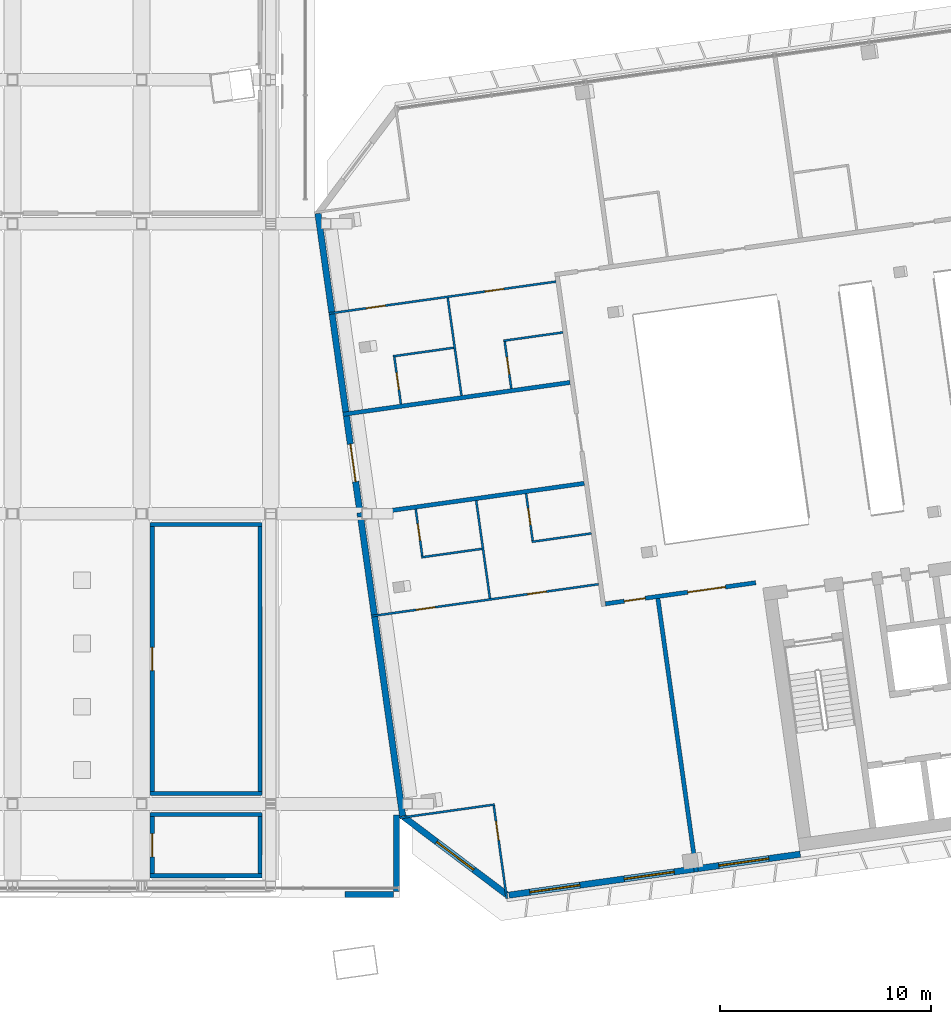
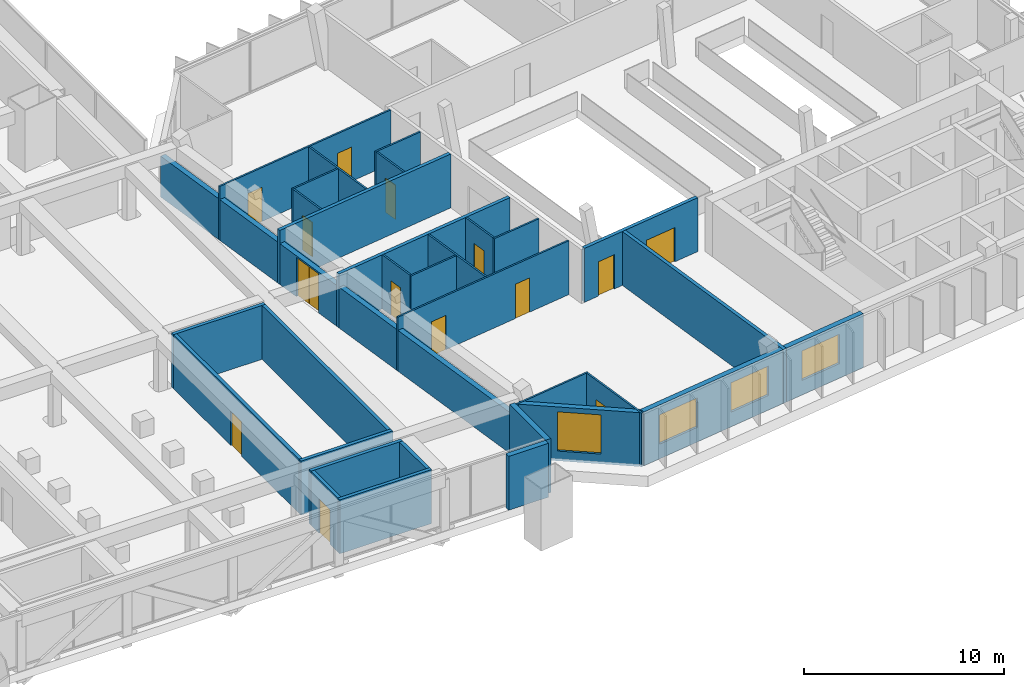
# One storey, part 21 of 30: 31 walls, 14 doors, 4 windows, 18 openings.
"""IFC4 building model written with IfcOpenShell, lengths in metres."""

from ifc_helpers import new_model, si_unit, direction, frame, frame_2d, origin, place, context, subcontext, project, spatial, rectangle, extrude, material, layer, layer_set, type_object, element, fill, save


model = new_model("IFC4")

# Units and contexts
model_context = context("Model", 3, precision=1e-05, world=origin(), true_north=direction((0.0, 1.0)))
body_context = subcontext(model_context, "Body", "Model", "MODEL_VIEW")
ifc_project = project(units=[si_unit("LENGTHUNIT", "METRE"), si_unit("AREAUNIT", "SQUARE_METRE"), si_unit("VOLUMEUNIT", "CUBIC_METRE"), si_unit("PLANEANGLEUNIT", "RADIAN"), si_unit("MASSUNIT", "GRAM", prefix="KILO")], contexts=[model_context])

# Site, building, storey
site_placement = place(None, origin())
site = spatial("IfcSite", under=ifc_project, at=site_placement, CompositionType="ELEMENT")
building_placement = place(site_placement, origin())
building = spatial("IfcBuilding", under=site, at=building_placement, Name="Mirante Cascada Hotel Towers", CompositionType="ELEMENT")
storey_placement = place(building_placement, frame((0.0, 0.0, 258.4)))
storey = spatial("IfcBuildingStorey", under=building, at=storey_placement, Name="L62", CompositionType="ELEMENT", Elevation=258.4)

# Wall, openings, doors
ifc_material_1 = material(Name="Fire-rated plasterboard on metal studs")
ifc_layer_1 = layer(ifc_material_1, 0.2)
ifc_layer_set_1 = layer_set([ifc_layer_1], Name="Compartment wall 200 EI 120")
wall_type_1 = type_object("IfcWallType", Name="Compartment wall 200 EI 120", PredefinedType="PARTITIONING", material=ifc_layer_set_1)
wall_1_placement = place(storey_placement, frame((28.1335, -8.1193, 0.0), z_axis=(0.0, 0.0, 1.0), x_axis=(0.9902689, 0.1391674, 0.0)))
wall_1 = element("IfcWall", 1, at=wall_1_placement, inside=storey, type_object=wall_type_1, Name="Wall 2-L62-03", PredefinedType="PARTITIONING", context=body_context, shape_type="SweptSolid", body=[
    extrude(rectangle(XDim=7.2, YDim=0.2, at=frame_2d((3.6, 0.0))), origin(), (0.0, 0.0, 1.0), 3.3),
])
opening_1_placement = place(wall_1_placement, frame((0.9001, 0.0, 0.0)))
opening_1 = element("IfcOpeningElement", 2, at=opening_1_placement, cuts=wall_1, Name="Opening D2-L62-02", PredefinedType="OPENING", context=body_context, shape_type="SweptSolid", body=[
    extrude(rectangle(XDim=1.0, YDim=2.1, at=frame_2d((0.5, 1.05))), frame((0.0, 0.1, 0.0), z_axis=(0.0, -1.0, 0.0), x_axis=(1.0, 0.0, 0.0)), (0.0, 0.0, 1.0), 0.2),
])
opening_2_placement = place(wall_1_placement, frame((3.9501, 0.0, 0.0)))
opening_2 = element("IfcOpeningElement", 3, at=opening_2_placement, cuts=wall_1, Name="Opening D2-L62-03", PredefinedType="OPENING", context=body_context, shape_type="SweptSolid", body=[
    extrude(rectangle(XDim=1.8, YDim=2.1, at=frame_2d((0.9, 1.05))), frame((0.0, 0.1, 0.0), z_axis=(0.0, -1.0, 0.0), x_axis=(1.0, 0.0, 0.0)), (0.0, 0.0, 1.0), 0.2),
])
ifc_material_2 = material(Name="Fire-rated timber door leaf", Category="wood")
door_type_1 = type_object("IfcDoorType", Name="Entrance door DG1 1000x2100 EI 60", OperationType="SINGLE_SWING_LEFT", PredefinedType="DOOR", material=ifc_material_2)
door_1_placement = place(opening_1_placement, frame((1.0, 0.0, 0.0), z_axis=(0.0, 0.0, 1.0), x_axis=(-1.0, 0.0, 0.0)))
door_1 = element("IfcDoor", 4, at=door_1_placement, inside=storey, type_object=door_type_1, Name="Door D2-L62-02", OperationType="SINGLE_SWING_RIGHT", OverallHeight=2.1, OverallWidth=1.0, PredefinedType="DOOR", context=body_context, shape_type="SweptSolid", body=[
    extrude(rectangle(XDim=1.0, YDim=2.1, at=frame_2d((0.5, 1.05))), frame((0.0, 0.025, 0.0), z_axis=(0.0, -1.0, 0.0), x_axis=(1.0, 0.0, 0.0)), (0.0, 0.0, 1.0), 0.05),
])
fill(opening_1, door_1)
ifc_material_3 = material(Name="Fire-rated timber door leaf", Category="wood")
door_type_2 = type_object("IfcDoorType", Name="Suite double door DG2 1800x2100 EI 60", OperationType="DOUBLE_DOOR_SINGLE_SWING", PredefinedType="DOOR", material=ifc_material_3)
door_2_placement = place(opening_2_placement, origin())
door_2 = element("IfcDoor", 5, at=door_2_placement, inside=storey, type_object=door_type_2, Name="Door D2-L62-03", OperationType="DOUBLE_DOOR_SINGLE_SWING", OverallHeight=2.1, OverallWidth=1.8, PredefinedType="DOOR", context=body_context, shape_type="SweptSolid", body=[
    extrude(rectangle(XDim=0.895, YDim=2.1, at=frame_2d((0.4475, 1.05))), frame((0.0, 0.025, 0.0), z_axis=(0.0, -1.0, 0.0), x_axis=(1.0, 0.0, 0.0)), (0.0, 0.0, 1.0), 0.05),
    extrude(rectangle(XDim=0.895, YDim=2.1, at=frame_2d((1.3525, 1.05))), frame((0.0, 0.025, 0.0), z_axis=(0.0, -1.0, 0.0), x_axis=(1.0, 0.0, 0.0)), (0.0, 0.0, 1.0), 0.05),
])
fill(opening_2, door_2)

# Walls
wall_2_placement = place(storey_placement, frame((27.1282, -2.4036, 0.0), z_axis=(0.0, 0.0, 1.0), x_axis=(-0.9902675, -0.1391768, 0.0)))
element("IfcWall", 6, at=wall_2_placement, inside=storey, type_object=wall_type_1, Name="Wall 2-L62-10", PredefinedType="PARTITIONING", context=body_context, shape_type="SweptSolid", body=[
    extrude(rectangle(XDim=10.8797, YDim=0.2, at=frame_2d((5.4398, 0.0))), origin(), (0.0, 0.0, 1.0), 3.3),
])
wall_3_placement = place(storey_placement, frame((26.4556, 2.3827, 0.0), z_axis=(0.0, 0.0, 1.0), x_axis=(-0.9902677, -0.1391755, 0.0)))
element("IfcWall", 7, at=wall_3_placement, inside=storey, type_object=wall_type_1, Name="Wall 2-L62-12", PredefinedType="PARTITIONING", context=body_context, shape_type="SweptSolid", body=[
    extrude(rectangle(XDim=10.8798, YDim=0.2, at=frame_2d((5.4399, 0.0))), origin(), (0.0, 0.0, 1.0), 3.3),
])
wall_4_placement = place(storey_placement, frame((32.4464, -20.8429, 0.0), z_axis=(0.0, 0.0, 1.0), x_axis=(-0.1391682, 0.9902688, 0.0)))
element("IfcWall", 8, at=wall_4_placement, inside=storey, type_object=wall_type_1, Name="Wall 2-L62-31", PredefinedType="PARTITIONING", context=body_context, shape_type="SweptSolid", body=[
    extrude(rectangle(XDim=13.1, YDim=0.2, at=frame_2d((6.55, 0.0))), origin(), (0.0, 0.0, 1.0), 3.3),
])
ifc_material_4 = material(Name="Masonry block", Category="masonry")
ifc_layer_2 = layer(ifc_material_4, 0.2)
ifc_layer_set_2 = layer_set([ifc_layer_2], Name="Deck room wall 200 block EI 120")
wall_type_2 = type_object("IfcWallType", Name="Deck room wall 200 block EI 120", PredefinedType="PARTITIONING", material=ifc_layer_set_2)
for number, where, z_axis, x_axis, name in (
    (9, (6.53, -21.02, 0.0), (0.0, 0.0, 1.0), (1.0, 0.0, 0.0), "Sky park fire wall L62 W9"),
    (10, (6.53, -18.12, 0.0), (0.0, 0.0, 1.0), (1.0, 0.0, 0.0), "Sky park fire wall L62 W10"),
):
    element("IfcWall", number, at=place(storey_placement, frame(where, z_axis=z_axis, x_axis=x_axis)), inside=storey, type_object=wall_type_2, Name=name, PredefinedType="PARTITIONING", context=body_context, shape_type="SweptSolid", body=[
        extrude(rectangle(XDim=5.32, YDim=0.2, at=frame_2d((2.66, 0.0))), origin(), (0.0, 0.0, 1.0), 3.3),
    ])

# Wall, opening, door
wall_5_placement = place(storey_placement, frame((6.63, -20.92, 0.0), z_axis=(0.0, 0.0, 1.0), x_axis=(0.0, 1.0, 0.0)))
wall_5 = element("IfcWall", 11, at=wall_5_placement, inside=storey, type_object=wall_type_2, Name="Sky park fire wall L62 W11", PredefinedType="PARTITIONING", context=body_context, shape_type="SweptSolid", body=[
    extrude(rectangle(XDim=2.7, YDim=0.2, at=frame_2d((1.35, 0.0))), origin(), (0.0, 0.0, 1.0), 3.3),
])
opening_3_placement = place(wall_5_placement, frame((0.8, 0.0, 0.0)))
opening_3 = element("IfcOpeningElement", 12, at=opening_3_placement, cuts=wall_5, Name="Opening DD-62-03", PredefinedType="OPENING", context=body_context, shape_type="SweptSolid", body=[
    extrude(rectangle(XDim=1.1, YDim=2.1, at=frame_2d((0.55, 1.05))), frame((0.0, 0.1, 0.0), z_axis=(0.0, -1.0, 0.0), x_axis=(1.0, 0.0, 0.0)), (0.0, 0.0, 1.0), 0.2),
])
ifc_material_5 = material(Name="Hollow metal fire door leaf")
door_type_3 = type_object("IfcDoorType", Name="Fire door 1100x2100 FD60 self-closing", OperationType="NOTDEFINED", PredefinedType="DOOR", material=ifc_material_5)
door_3_placement = place(opening_3_placement, frame((1.1, 0.0, 0.0), z_axis=(0.0, 0.0, 1.0), x_axis=(-1.0, 0.0, 0.0)))
door_3 = element("IfcDoor", 13, at=door_3_placement, inside=storey, type_object=door_type_3, Name="Fire door sky park L62 d3", OperationType="SINGLE_SWING_LEFT", OverallHeight=2.1, OverallWidth=1.1, PredefinedType="DOOR", context=body_context, shape_type="SweptSolid", body=[
    extrude(rectangle(XDim=1.1, YDim=2.1, at=frame_2d((0.55, 1.05))), frame((0.0, 0.025, 0.0), z_axis=(0.0, -1.0, 0.0), x_axis=(1.0, 0.0, 0.0)), (0.0, 0.0, 1.0), 0.05),
])
fill(opening_3, door_3)

# Walls
wall_6_placement = place(storey_placement, frame((11.75, -20.92, 0.0), z_axis=(0.0, 0.0, 1.0), x_axis=(0.0, 1.0, 0.0)))
element("IfcWall", 14, at=wall_6_placement, inside=storey, type_object=wall_type_2, Name="Sky park fire wall L62 W12", PredefinedType="PARTITIONING", context=body_context, shape_type="SweptSolid", body=[
    extrude(rectangle(XDim=2.7, YDim=0.2, at=frame_2d((1.35, 0.0))), origin(), (0.0, 0.0, 1.0), 3.3),
])
for number, where, z_axis, x_axis, name in (
    (15, (6.53, -17.12, 0.0), (0.0, 0.0, 1.0), (1.0, 0.0, 0.0), "Sky park fire wall L62 W13"),
    (16, (6.53, -4.35, 0.0), (0.0, 0.0, 1.0), (1.0, 0.0, 0.0), "Sky park fire wall L62 W14"),
):
    element("IfcWall", number, at=place(storey_placement, frame(where, z_axis=z_axis, x_axis=x_axis)), inside=storey, type_object=wall_type_2, Name=name, PredefinedType="PARTITIONING", context=body_context, shape_type="SweptSolid", body=[
        extrude(rectangle(XDim=5.32, YDim=0.2, at=frame_2d((2.66, 0.0))), origin(), (0.0, 0.0, 1.0), 3.3),
    ])

# Wall, opening, door
wall_7_placement = place(storey_placement, frame((6.63, -17.02, 0.0), z_axis=(0.0, 0.0, 1.0), x_axis=(0.0, 1.0, 0.0)))
wall_7 = element("IfcWall", 17, at=wall_7_placement, inside=storey, type_object=wall_type_2, Name="Sky park fire wall L62 W15", PredefinedType="PARTITIONING", context=body_context, shape_type="SweptSolid", body=[
    extrude(rectangle(XDim=12.57, YDim=0.2, at=frame_2d((6.285, 0.0))), origin(), (0.0, 0.0, 1.0), 3.3),
])
opening_4_placement = place(wall_7_placement, frame((5.735, 0.0, 0.0)))
opening_4 = element("IfcOpeningElement", 18, at=opening_4_placement, cuts=wall_7, Name="Opening DD-62-04", PredefinedType="OPENING", context=body_context, shape_type="SweptSolid", body=[
    extrude(rectangle(XDim=1.1, YDim=2.1, at=frame_2d((0.55, 1.05))), frame((0.0, 0.1, 0.0), z_axis=(0.0, -1.0, 0.0), x_axis=(1.0, 0.0, 0.0)), (0.0, 0.0, 1.0), 0.2),
])
door_4_placement = place(opening_4_placement, frame((1.1, 0.0, 0.0), z_axis=(0.0, 0.0, 1.0), x_axis=(-1.0, 0.0, 0.0)))
door_4 = element("IfcDoor", 19, at=door_4_placement, inside=storey, type_object=door_type_3, Name="Fire door sky park L62 d4", OperationType="SINGLE_SWING_LEFT", OverallHeight=2.1, OverallWidth=1.1, PredefinedType="DOOR", context=body_context, shape_type="SweptSolid", body=[
    extrude(rectangle(XDim=1.1, YDim=2.1, at=frame_2d((0.55, 1.05))), frame((0.0, 0.025, 0.0), z_axis=(0.0, -1.0, 0.0), x_axis=(1.0, 0.0, 0.0)), (0.0, 0.0, 1.0), 0.05),
])
fill(opening_4, door_4)

# Walls
wall_8_placement = place(storey_placement, frame((11.75, -17.02, 0.0), z_axis=(0.0, 0.0, 1.0), x_axis=(0.0, 1.0, 0.0)))
element("IfcWall", 20, at=wall_8_placement, inside=storey, type_object=wall_type_2, Name="Sky park fire wall L62 W16", PredefinedType="PARTITIONING", context=body_context, shape_type="SweptSolid", body=[
    extrude(rectangle(XDim=12.57, YDim=0.2, at=frame_2d((6.285, 0.0))), origin(), (0.0, 0.0, 1.0), 3.3),
])
ifc_material_6 = material(Name="Plasterboard on metal studs")
ifc_layer_3 = layer(ifc_material_6, 0.1)
ifc_layer_set_3 = layer_set([ifc_layer_3], Name="Partition 100")
wall_type_3 = type_object("IfcWallType", Name="Partition 100", PredefinedType="PARTITIONING", material=ifc_layer_set_3)
wall_9_placement = place(storey_placement, frame((18.3724, -18.2767, 0.0), z_axis=(0.0, 0.0, 1.0), x_axis=(0.9902661, 0.1391871, 0.0)))
element("IfcWall", 21, at=wall_9_placement, inside=storey, type_object=wall_type_3, Name="Wall 2-L62-01", PredefinedType="PARTITIONING", context=body_context, shape_type="SweptSolid", body=[
    extrude(rectangle(XDim=4.55, YDim=0.1, at=frame_2d((2.275, 0.0))), origin(), (0.0, 0.0, 1.0), 3.3),
])

# Wall, openings, doors
wall_10_placement = place(storey_placement, frame((27.8009, -7.1899, 0.0), z_axis=(0.0, 0.0, 1.0), x_axis=(-0.9902688, -0.1391678, 0.0)))
wall_10 = element("IfcWall", 22, at=wall_10_placement, inside=storey, type_object=wall_type_3, Name="Wall 2-L62-04", PredefinedType="PARTITIONING", context=body_context, shape_type="SweptSolid", body=[
    extrude(rectangle(XDim=10.8797, YDim=0.1, at=frame_2d((5.4398, 0.0))), origin(), (0.0, 0.0, 1.0), 3.3),
])
opening_5_placement = place(wall_10_placement, frame((7.8297, 0.0, 0.0)))
opening_5 = element("IfcOpeningElement", 23, at=opening_5_placement, cuts=wall_10, Name="Opening D2-L62-04", PredefinedType="OPENING", context=body_context, shape_type="SweptSolid", body=[
    extrude(rectangle(XDim=0.9, YDim=2.1, at=frame_2d((0.45, 1.05))), frame((0.0, 0.05, 0.0), z_axis=(0.0, -1.0, 0.0), x_axis=(1.0, 0.0, 0.0)), (0.0, 0.0, 1.0), 0.1),
])
opening_6_placement = place(wall_10_placement, frame((2.4949, 0.0, 0.0)))
opening_6 = element("IfcOpeningElement", 24, at=opening_6_placement, cuts=wall_10, Name="Opening D2-L62-05", PredefinedType="OPENING", context=body_context, shape_type="SweptSolid", body=[
    extrude(rectangle(XDim=0.9, YDim=2.1, at=frame_2d((0.45, 1.05))), frame((0.0, 0.05, 0.0), z_axis=(0.0, -1.0, 0.0), x_axis=(1.0, 0.0, 0.0)), (0.0, 0.0, 1.0), 0.1),
])
ifc_material_7 = material(Name="Timber door leaf", Category="wood")
door_type_4 = type_object("IfcDoorType", Name="Room door DG3 900x2100", OperationType="SINGLE_SWING_LEFT", PredefinedType="DOOR", material=ifc_material_7)
door_5_placement = place(opening_5_placement, origin())
door_5 = element("IfcDoor", 25, at=door_5_placement, inside=storey, type_object=door_type_4, Name="Door D2-L62-04", OperationType="SINGLE_SWING_LEFT", OverallHeight=2.1, OverallWidth=0.9, PredefinedType="DOOR", context=body_context, shape_type="SweptSolid", body=[
    extrude(rectangle(XDim=0.9, YDim=2.1, at=frame_2d((0.45, 1.05))), frame((0.0, 0.025, 0.0), z_axis=(0.0, -1.0, 0.0), x_axis=(1.0, 0.0, 0.0)), (0.0, 0.0, 1.0), 0.05),
])
fill(opening_5, door_5)
door_6_placement = place(opening_6_placement, origin())
door_6 = element("IfcDoor", 26, at=door_6_placement, inside=storey, type_object=door_type_4, Name="Door D2-L62-05", OperationType="SINGLE_SWING_LEFT", OverallHeight=2.1, OverallWidth=0.9, PredefinedType="DOOR", context=body_context, shape_type="SweptSolid", body=[
    extrude(rectangle(XDim=0.9, YDim=2.1, at=frame_2d((0.45, 1.05))), frame((0.0, 0.025, 0.0), z_axis=(0.0, -1.0, 0.0), x_axis=(1.0, 0.0, 0.0)), (0.0, 0.0, 1.0), 0.05),
])
fill(opening_6, door_6)

# Walls
wall_11_placement = place(storey_placement, frame((19.4017, -5.9131, 0.0), z_axis=(0.0, 0.0, 1.0), x_axis=(0.9902676, 0.1391761, 0.0)))
element("IfcWall", 27, at=wall_11_placement, inside=storey, type_object=wall_type_3, Name="Wall 2-L62-07", PredefinedType="PARTITIONING", context=body_context, shape_type="SweptSolid", body=[
    extrude(rectangle(XDim=2.8999, YDim=0.1, at=frame_2d((1.45, 0.0))), origin(), (0.0, 0.0, 1.0), 3.3),
])
wall_12_placement = place(storey_placement, frame((27.4622, -4.7802, 0.0), z_axis=(0.0, 0.0, 1.0), x_axis=(-0.9902649, -0.1391957, 0.0)))
element("IfcWall", 28, at=wall_12_placement, inside=storey, type_object=wall_type_3, Name="Wall 2-L62-08", PredefinedType="PARTITIONING", context=body_context, shape_type="SweptSolid", body=[
    extrude(rectangle(XDim=2.8499, YDim=0.1, at=frame_2d((1.425, 0.0))), origin(), (0.0, 0.0, 1.0), 3.3),
])
wall_13_placement = place(storey_placement, frame((18.061, 3.6265, 0.0), z_axis=(0.0, 0.0, 1.0), x_axis=(0.9902676, 0.1391761, 0.0)))
element("IfcWall", 29, at=wall_13_placement, inside=storey, type_object=wall_type_3, Name="Wall 2-L62-13", PredefinedType="PARTITIONING", context=body_context, shape_type="SweptSolid", body=[
    extrude(rectangle(XDim=2.8999, YDim=0.1, at=frame_2d((1.45, 0.0))), origin(), (0.0, 0.0, 1.0), 3.3),
])
wall_14_placement = place(storey_placement, frame((26.1215, 4.7593, 0.0), z_axis=(0.0, 0.0, 1.0), x_axis=(-0.9902697, -0.1391613, 0.0)))
element("IfcWall", 30, at=wall_14_placement, inside=storey, type_object=wall_type_3, Name="Wall 2-L62-14", PredefinedType="PARTITIONING", context=body_context, shape_type="SweptSolid", body=[
    extrude(rectangle(XDim=2.8499, YDim=0.1, at=frame_2d((1.425, 0.0))), origin(), (0.0, 0.0, 1.0), 3.3),
])

# Wall, openings, doors
wall_15_placement = place(storey_placement, frame((15.0091, 5.6549, 0.0), z_axis=(0.0, 0.0, 1.0), x_axis=(0.9902688, 0.1391678, 0.0)))
wall_15 = element("IfcWall", 31, at=wall_15_placement, inside=storey, type_object=wall_type_3, Name="Wall 2-L62-15", PredefinedType="PARTITIONING", context=body_context, shape_type="SweptSolid", body=[
    extrude(rectangle(XDim=10.8797, YDim=0.1, at=frame_2d((5.4398, 0.0))), origin(), (0.0, 0.0, 1.0), 3.3),
])
opening_7_placement = place(wall_15_placement, frame((1.7949, 0.0, 0.0)))
opening_7 = element("IfcOpeningElement", 32, at=opening_7_placement, cuts=wall_15, Name="Opening D2-L62-08", PredefinedType="OPENING", context=body_context, shape_type="SweptSolid", body=[
    extrude(rectangle(XDim=0.9, YDim=2.1, at=frame_2d((0.45, 1.05))), frame((0.0, 0.05, 0.0), z_axis=(0.0, -1.0, 0.0), x_axis=(1.0, 0.0, 0.0)), (0.0, 0.0, 1.0), 0.1),
])
opening_8_placement = place(wall_15_placement, frame((7.4848, 0.0, 0.0)))
opening_8 = element("IfcOpeningElement", 33, at=opening_8_placement, cuts=wall_15, Name="Opening D2-L62-09", PredefinedType="OPENING", context=body_context, shape_type="SweptSolid", body=[
    extrude(rectangle(XDim=0.9, YDim=2.1, at=frame_2d((0.45, 1.05))), frame((0.0, 0.05, 0.0), z_axis=(0.0, -1.0, 0.0), x_axis=(1.0, 0.0, 0.0)), (0.0, 0.0, 1.0), 0.1),
])
door_7_placement = place(opening_7_placement, origin())
door_7 = element("IfcDoor", 34, at=door_7_placement, inside=storey, type_object=door_type_4, Name="Door D2-L62-08", OperationType="SINGLE_SWING_LEFT", OverallHeight=2.1, OverallWidth=0.9, PredefinedType="DOOR", context=body_context, shape_type="SweptSolid", body=[
    extrude(rectangle(XDim=0.9, YDim=2.1, at=frame_2d((0.45, 1.05))), frame((0.0, 0.025, 0.0), z_axis=(0.0, -1.0, 0.0), x_axis=(1.0, 0.0, 0.0)), (0.0, 0.0, 1.0), 0.05),
])
fill(opening_7, door_7)
door_8_placement = place(opening_8_placement, origin())
door_8 = element("IfcDoor", 35, at=door_8_placement, inside=storey, type_object=door_type_4, Name="Door D2-L62-09", OperationType="SINGLE_SWING_LEFT", OverallHeight=2.1, OverallWidth=0.9, PredefinedType="DOOR", context=body_context, shape_type="SweptSolid", body=[
    extrude(rectangle(XDim=0.9, YDim=2.1, at=frame_2d((0.45, 1.05))), frame((0.0, 0.025, 0.0), z_axis=(0.0, -1.0, 0.0), x_axis=(1.0, 0.0, 0.0)), (0.0, 0.0, 1.0), 0.05),
])
fill(opening_8, door_8)

# Wall, opening, door
wall_16_placement = place(storey_placement, frame((19.1311, -3.6285, 0.0), z_axis=(0.0, 0.0, 1.0), x_axis=(0.1391561, -0.9902705, 0.0)))
wall_16 = element("IfcWall", 36, at=wall_16_placement, inside=storey, type_object=wall_type_3, Name="Wall 2-L62-22", PredefinedType="PARTITIONING", context=body_context, shape_type="SweptSolid", body=[
    extrude(rectangle(XDim=2.25, YDim=0.1, at=frame_2d((1.125, 0.0))), origin(), (0.0, 0.0, 1.0), 3.3),
])
opening_9_placement = place(wall_16_placement, frame((0.7, 0.0, 0.0)))
opening_9 = element("IfcOpeningElement", 37, at=opening_9_placement, cuts=wall_16, Name="Opening D2-L62-15", PredefinedType="OPENING", context=body_context, shape_type="SweptSolid", body=[
    extrude(rectangle(XDim=0.8, YDim=2.1, at=frame_2d((0.4, 1.05))), frame((0.0, 0.05, 0.0), z_axis=(0.0, -1.0, 0.0), x_axis=(1.0, 0.0, 0.0)), (0.0, 0.0, 1.0), 0.1),
])
ifc_material_8 = material(Name="Timber door leaf", Category="wood")
door_type_5 = type_object("IfcDoorType", Name="Bathroom door DG4 800x2100", OperationType="SINGLE_SWING_LEFT", PredefinedType="DOOR", material=ifc_material_8)
door_9_placement = place(opening_9_placement, origin())
door_9 = element("IfcDoor", 38, at=door_9_placement, inside=storey, type_object=door_type_5, Name="Door D2-L62-15", OperationType="SINGLE_SWING_LEFT", OverallHeight=2.1, OverallWidth=0.8, PredefinedType="DOOR", context=body_context, shape_type="SweptSolid", body=[
    extrude(rectangle(XDim=0.8, YDim=2.1, at=frame_2d((0.4, 1.05))), frame((0.0, 0.025, 0.0), z_axis=(0.0, -1.0, 0.0), x_axis=(1.0, 0.0, 0.0)), (0.0, 0.0, 1.0), 0.05),
])
fill(opening_9, door_9)

wall_17_placement = place(storey_placement, frame((18.4306, 1.3558, 0.0), z_axis=(0.0, 0.0, 1.0), x_axis=(-0.1391997, 0.9902643, 0.0)))
wall_17 = element("IfcWall", 39, at=wall_17_placement, inside=storey, type_object=wall_type_3, Name="Wall 2-L62-23", PredefinedType="PARTITIONING", context=body_context, shape_type="SweptSolid", body=[
    extrude(rectangle(XDim=2.25, YDim=0.1, at=frame_2d((1.125, 0.0))), origin(), (0.0, 0.0, 1.0), 3.3),
])
opening_10_placement = place(wall_17_placement, frame((0.7, 0.0, 0.0)))
opening_10 = element("IfcOpeningElement", 40, at=opening_10_placement, cuts=wall_17, Name="Opening D2-L62-16", PredefinedType="OPENING", context=body_context, shape_type="SweptSolid", body=[
    extrude(rectangle(XDim=0.8, YDim=2.1, at=frame_2d((0.4, 1.05))), frame((0.0, 0.05, 0.0), z_axis=(0.0, -1.0, 0.0), x_axis=(1.0, 0.0, 0.0)), (0.0, 0.0, 1.0), 0.1),
])
door_10_placement = place(opening_10_placement, frame((0.8, 0.0, 0.0), z_axis=(0.0, 0.0, 1.0), x_axis=(-1.0, 0.0, 0.0)))
door_10 = element("IfcDoor", 41, at=door_10_placement, inside=storey, type_object=door_type_5, Name="Door D2-L62-16", OperationType="SINGLE_SWING_RIGHT", OverallHeight=2.1, OverallWidth=0.8, PredefinedType="DOOR", context=body_context, shape_type="SweptSolid", body=[
    extrude(rectangle(XDim=0.8, YDim=2.1, at=frame_2d((0.4, 1.05))), frame((0.0, 0.025, 0.0), z_axis=(0.0, -1.0, 0.0), x_axis=(1.0, 0.0, 0.0)), (0.0, 0.0, 1.0), 0.05),
])
fill(opening_10, door_10)

wall_18_placement = place(storey_placement, frame((22.8356, -17.6999, 0.0), z_axis=(0.0, 0.0, 1.0), x_axis=(0.1391684, -0.9902687, 0.0)))
wall_18 = element("IfcWall", 42, at=wall_18_placement, inside=storey, type_object=wall_type_3, Name="Wall 2-L62-24", PredefinedType="PARTITIONING", context=body_context, shape_type="SweptSolid", body=[
    extrude(rectangle(XDim=4.45, YDim=0.1, at=frame_2d((2.225, 0.0))), origin(), (0.0, 0.0, 1.0), 3.3),
])
opening_11_placement = place(wall_18_placement, frame((0.75, 0.0, 0.0)))
opening_11 = element("IfcOpeningElement", 43, at=opening_11_placement, cuts=wall_18, Name="Opening D2-L62-17", PredefinedType="OPENING", context=body_context, shape_type="SweptSolid", body=[
    extrude(rectangle(XDim=0.9, YDim=2.1, at=frame_2d((0.45, 1.05))), frame((0.0, 0.05, 0.0), z_axis=(0.0, -1.0, 0.0), x_axis=(1.0, 0.0, 0.0)), (0.0, 0.0, 1.0), 0.1),
])
door_11_placement = place(opening_11_placement, origin())
door_11 = element("IfcDoor", 44, at=door_11_placement, inside=storey, type_object=door_type_4, Name="Door D2-L62-17", OperationType="SINGLE_SWING_LEFT", OverallHeight=2.1, OverallWidth=0.9, PredefinedType="DOOR", context=body_context, shape_type="SweptSolid", body=[
    extrude(rectangle(XDim=0.9, YDim=2.1, at=frame_2d((0.45, 1.05))), frame((0.0, 0.025, 0.0), z_axis=(0.0, -1.0, 0.0), x_axis=(1.0, 0.0, 0.0)), (0.0, 0.0, 1.0), 0.05),
])
fill(opening_11, door_11)

# Walls
wall_19_placement = place(storey_placement, frame((22.0028, -3.2249, 0.0), z_axis=(0.0, 0.0, 1.0), x_axis=(0.139176, -0.9902677, 0.0)))
element("IfcWall", 45, at=wall_19_placement, inside=storey, type_object=wall_type_3, Name="Wall 2-L62-26", PredefinedType="PARTITIONING", context=body_context, shape_type="SweptSolid", body=[
    extrude(rectangle(XDim=4.6833, YDim=0.1, at=frame_2d((2.3416, 0.0))), origin(), (0.0, 0.0, 1.0), 3.3),
])
wall_20_placement = place(storey_placement, frame((21.3023, 1.7594, 0.0), z_axis=(0.0, 0.0, 1.0), x_axis=(-0.139173, 0.9902681, 0.0)))
element("IfcWall", 46, at=wall_20_placement, inside=storey, type_object=wall_type_3, Name="Wall 2-L62-27", PredefinedType="PARTITIONING", context=body_context, shape_type="SweptSolid", body=[
    extrude(rectangle(XDim=4.6834, YDim=0.1, at=frame_2d((2.3417, 0.0))), origin(), (0.0, 0.0, 1.0), 3.3),
])

# Wall, opening, door
wall_21_placement = place(storey_placement, frame((24.3694, -2.8923, 0.0), z_axis=(0.0, 0.0, 1.0), x_axis=(0.1391561, -0.9902705, 0.0)))
wall_21 = element("IfcWall", 47, at=wall_21_placement, inside=storey, type_object=wall_type_3, Name="Wall 2-L62-28", PredefinedType="PARTITIONING", context=body_context, shape_type="SweptSolid", body=[
    extrude(rectangle(XDim=2.25, YDim=0.1, at=frame_2d((1.125, 0.0))), origin(), (0.0, 0.0, 1.0), 3.3),
])
opening_12_placement = place(wall_21_placement, frame((0.7, 0.0, 0.0)))
opening_12 = element("IfcOpeningElement", 48, at=opening_12_placement, cuts=wall_21, Name="Opening D2-L62-19", PredefinedType="OPENING", context=body_context, shape_type="SweptSolid", body=[
    extrude(rectangle(XDim=0.8, YDim=2.1, at=frame_2d((0.4, 1.05))), frame((0.0, 0.05, 0.0), z_axis=(0.0, -1.0, 0.0), x_axis=(1.0, 0.0, 0.0)), (0.0, 0.0, 1.0), 0.1),
])
door_12_placement = place(opening_12_placement, origin())
door_12 = element("IfcDoor", 49, at=door_12_placement, inside=storey, type_object=door_type_5, Name="Door D2-L62-19", OperationType="SINGLE_SWING_LEFT", OverallHeight=2.1, OverallWidth=0.8, PredefinedType="DOOR", context=body_context, shape_type="SweptSolid", body=[
    extrude(rectangle(XDim=0.8, YDim=2.1, at=frame_2d((0.4, 1.05))), frame((0.0, 0.025, 0.0), z_axis=(0.0, -1.0, 0.0), x_axis=(1.0, 0.0, 0.0)), (0.0, 0.0, 1.0), 0.05),
])
fill(opening_12, door_12)

wall_22_placement = place(storey_placement, frame((23.6689, 2.092, 0.0), z_axis=(0.0, 0.0, 1.0), x_axis=(-0.1391997, 0.9902643, 0.0)))
wall_22 = element("IfcWall", 50, at=wall_22_placement, inside=storey, type_object=wall_type_3, Name="Wall 2-L62-29", PredefinedType="PARTITIONING", context=body_context, shape_type="SweptSolid", body=[
    extrude(rectangle(XDim=2.25, YDim=0.1, at=frame_2d((1.125, 0.0))), origin(), (0.0, 0.0, 1.0), 3.3),
])
opening_13_placement = place(wall_22_placement, frame((0.7, 0.0, 0.0)))
opening_13 = element("IfcOpeningElement", 51, at=opening_13_placement, cuts=wall_22, Name="Opening D2-L62-20", PredefinedType="OPENING", context=body_context, shape_type="SweptSolid", body=[
    extrude(rectangle(XDim=0.8, YDim=2.1, at=frame_2d((0.4, 1.05))), frame((0.0, 0.05, 0.0), z_axis=(0.0, -1.0, 0.0), x_axis=(1.0, 0.0, 0.0)), (0.0, 0.0, 1.0), 0.1),
])
door_13_placement = place(opening_13_placement, frame((0.8, 0.0, 0.0), z_axis=(0.0, 0.0, 1.0), x_axis=(-1.0, 0.0, 0.0)))
door_13 = element("IfcDoor", 52, at=door_13_placement, inside=storey, type_object=door_type_5, Name="Door D2-L62-20", OperationType="SINGLE_SWING_RIGHT", OverallHeight=2.1, OverallWidth=0.8, PredefinedType="DOOR", context=body_context, shape_type="SweptSolid", body=[
    extrude(rectangle(XDim=0.8, YDim=2.1, at=frame_2d((0.4, 1.05))), frame((0.0, 0.025, 0.0), z_axis=(0.0, -1.0, 0.0), x_axis=(1.0, 0.0, 0.0)), (0.0, 0.0, 1.0), 0.05),
])
fill(opening_13, door_13)

# Wall, openings, windows
ifc_material_9 = material(Name="Precast concrete C40/50", Category="concrete")
ifc_layer_4 = layer(ifc_material_9, 0.3)
ifc_layer_set_4 = layer_set([ifc_layer_4], Name="Precast concrete C40/50 cladding wall 300")
wall_type_4 = type_object("IfcWallType", Name="Precast concrete C40/50 cladding wall 300", PredefinedType="STANDARD", material=ifc_layer_set_4)
wall_23_placement = place(storey_placement, frame((23.557, -21.9408, 0.0), z_axis=(0.0, 0.0, 1.0), x_axis=(0.9902674, 0.1391779, 0.0)))
wall_23 = element("IfcWall", 53, at=wall_23_placement, inside=storey, type_object=wall_type_4, Name="Rear cladding wall T2 L62 1", PredefinedType="STANDARD", context=body_context, shape_type="SweptSolid", body=[
    extrude(rectangle(XDim=13.9555, YDim=0.3, at=frame_2d((6.9778, 0.0))), origin(), (0.0, 0.0, 1.0), 3.3),
])
opening_14_placement = place(wall_23_placement, frame((0.9991, 0.0, 0.9)))
opening_14 = element("IfcOpeningElement", 54, at=opening_14_placement, cuts=wall_23, Name="Opening W2-62-01", PredefinedType="OPENING", context=body_context, shape_type="SweptSolid", body=[
    extrude(rectangle(XDim=2.4, YDim=1.8, at=frame_2d((1.2, 0.9))), frame((0.0, 0.15, 0.0), z_axis=(0.0, -1.0, 0.0), x_axis=(1.0, 0.0, 0.0)), (0.0, 0.0, 1.0), 0.3),
])
opening_15_placement = place(wall_23_placement, frame((5.5213, 0.0, 0.9)))
opening_15 = element("IfcOpeningElement", 55, at=opening_15_placement, cuts=wall_23, Name="Opening W2-62-02", PredefinedType="OPENING", context=body_context, shape_type="SweptSolid", body=[
    extrude(rectangle(XDim=2.4, YDim=1.8, at=frame_2d((1.2, 0.9))), frame((0.0, 0.15, 0.0), z_axis=(0.0, -1.0, 0.0), x_axis=(1.0, 0.0, 0.0)), (0.0, 0.0, 1.0), 0.3),
])
opening_16_placement = place(wall_23_placement, frame((10.0435, 0.0, 0.9)))
opening_16 = element("IfcOpeningElement", 56, at=opening_16_placement, cuts=wall_23, Name="Opening W2-62-03", PredefinedType="OPENING", context=body_context, shape_type="SweptSolid", body=[
    extrude(rectangle(XDim=2.4, YDim=1.8, at=frame_2d((1.2, 0.9))), frame((0.0, 0.15, 0.0), z_axis=(0.0, -1.0, 0.0), x_axis=(1.0, 0.0, 0.0)), (0.0, 0.0, 1.0), 0.3),
])
ifc_material_10 = material(Name="Aluminium frame with clear double glazing", Category="aluminium")
window_type_1 = type_object("IfcWindowType", Name="Punched window 2400x1800", PartitioningType="DOUBLE_PANEL_VERTICAL", PredefinedType="WINDOW", material=ifc_material_10)
window_1_placement = place(opening_14_placement, origin())
window_1 = element("IfcWindow", 57, at=window_1_placement, inside=storey, type_object=window_type_1, Name="Window W2-62-01", OverallHeight=1.8, OverallWidth=2.4, PartitioningType="SINGLE_PANEL", PredefinedType="WINDOW", context=body_context, shape_type="SweptSolid", body=[
    extrude(rectangle(XDim=2.4, YDim=1.8, at=frame_2d((1.2, 0.9))), frame((0.0, 0.03, 0.0), z_axis=(0.0, -1.0, 0.0), x_axis=(1.0, 0.0, 0.0)), (0.0, 0.0, 1.0), 0.06),
])
fill(opening_14, window_1)
window_2_placement = place(opening_15_placement, origin())
window_2 = element("IfcWindow", 58, at=window_2_placement, inside=storey, type_object=window_type_1, Name="Window W2-62-02", OverallHeight=1.8, OverallWidth=2.4, PartitioningType="SINGLE_PANEL", PredefinedType="WINDOW", context=body_context, shape_type="SweptSolid", body=[
    extrude(rectangle(XDim=2.4, YDim=1.8, at=frame_2d((1.2, 0.9))), frame((0.0, 0.03, 0.0), z_axis=(0.0, -1.0, 0.0), x_axis=(1.0, 0.0, 0.0)), (0.0, 0.0, 1.0), 0.06),
])
fill(opening_15, window_2)
window_3_placement = place(opening_16_placement, origin())
window_3 = element("IfcWindow", 59, at=window_3_placement, inside=storey, type_object=window_type_1, Name="Window W2-62-03", OverallHeight=1.8, OverallWidth=2.4, PartitioningType="SINGLE_PANEL", PredefinedType="WINDOW", context=body_context, shape_type="SweptSolid", body=[
    extrude(rectangle(XDim=2.4, YDim=1.8, at=frame_2d((1.2, 0.9))), frame((0.0, 0.03, 0.0), z_axis=(0.0, -1.0, 0.0), x_axis=(1.0, 0.0, 0.0)), (0.0, 0.0, 1.0), 0.06),
])
fill(opening_16, window_3)

# Wall, opening, window
wall_24_placement = place(storey_placement, frame((18.5618, -18.2316, 0.0), z_axis=(0.0, 0.0, 1.0), x_axis=(0.7986362, -0.6018141, 0.0)))
wall_24 = element("IfcWall", 60, at=wall_24_placement, inside=storey, type_object=wall_type_4, Name="Corner cladding wall T2 L62 inner rear", PredefinedType="STANDARD", context=body_context, shape_type="SweptSolid", body=[
    extrude(rectangle(XDim=6.1157, YDim=0.3, at=frame_2d((3.0578, 0.0))), origin(), (0.0, 0.0, 1.0), 3.3),
])
opening_17_placement = place(wall_24_placement, frame((1.9578, 0.0, 0.6)))
opening_17 = element("IfcOpeningElement", 61, at=opening_17_placement, cuts=wall_24, Name="Opening W2-62-07", PredefinedType="OPENING", context=body_context, shape_type="SweptSolid", body=[
    extrude(rectangle(XDim=2.2, YDim=2.4, at=frame_2d((1.1, 1.2))), frame((0.0, 0.15, 0.0), z_axis=(0.0, -1.0, 0.0), x_axis=(1.0, 0.0, 0.0)), (0.0, 0.0, 1.0), 0.3),
])
ifc_material_11 = material(Name="Aluminium frame with clear double glazing", Category="aluminium")
window_type_2 = type_object("IfcWindowType", Name="Corner suite window 2200x2400", PartitioningType="DOUBLE_PANEL_VERTICAL", PredefinedType="WINDOW", material=ifc_material_11)
window_4_placement = place(opening_17_placement, origin())
window_4 = element("IfcWindow", 62, at=window_4_placement, inside=storey, type_object=window_type_2, Name="Window W2-62-07", OverallHeight=2.4, OverallWidth=2.2, PartitioningType="SINGLE_PANEL", PredefinedType="WINDOW", context=body_context, shape_type="SweptSolid", body=[
    extrude(rectangle(XDim=2.2, YDim=2.4, at=frame_2d((1.1, 1.2))), frame((0.0, 0.03, 0.0), z_axis=(0.0, -1.0, 0.0), x_axis=(1.0, 0.0, 0.0)), (0.0, 0.0, 1.0), 0.06),
])
fill(opening_17, window_4)

# Walls
wall_25_placement = place(storey_placement, frame((18.2224, -18.1469, 0.0), z_axis=(0.0, 0.0, 1.0), x_axis=(0.0, -1.0, 0.0)))
element("IfcWall", 63, at=wall_25_placement, inside=storey, type_object=wall_type_4, Name="Corner closure wall L62 1.1", PredefinedType="STANDARD", context=body_context, shape_type="SweptSolid", body=[
    extrude(rectangle(XDim=3.612, YDim=0.3, at=frame_2d((1.806, 0.0))), origin(), (0.0, 0.0, 1.0), 3.3),
])
wall_26_placement = place(storey_placement, frame((18.0724, -21.9089, 0.0), z_axis=(0.0, 0.0, 1.0), x_axis=(-1.0, 0.0, 0.0)))
element("IfcWall", 64, at=wall_26_placement, inside=storey, type_object=wall_type_4, Name="Corner closure wall L62 1.2", PredefinedType="STANDARD", context=body_context, shape_type="SweptSolid", body=[
    extrude(rectangle(XDim=2.3024, YDim=0.3, at=frame_2d((1.1512, 0.0))), origin(), (0.0, 0.0, 1.0), 3.3),
])

# Wall, opening, door
ifc_material_12 = material(Name="Precast concrete C40/50", Category="concrete")
ifc_layer_5 = layer(ifc_material_12, 0.3)
ifc_layer_set_5 = layer_set([ifc_layer_5], Name="Precast concrete C40/50 link wall 300 EI 120")
wall_type_5 = type_object("IfcWallType", Name="Precast concrete C40/50 link wall 300 EI 120", PredefinedType="STANDARD", material=ifc_layer_set_5)
wall_27_placement = place(storey_placement, frame((14.4936, 10.4005, 0.0), z_axis=(0.0, 0.0, 1.0), x_axis=(0.1391723, -0.9902682, 0.0)))
wall_27 = element("IfcWall", 65, at=wall_27_placement, inside=storey, type_object=wall_type_5, Name="Link end wall T2 L62", PredefinedType="STANDARD", context=body_context, shape_type="SweptSolid", body=[
    extrude(rectangle(XDim=28.8757, YDim=0.3, at=frame_2d((14.4378, 0.0))), origin(), (0.0, 0.0, 1.0), 2.5),
])
opening_18_placement = place(wall_27_placement, frame((11.0459, 0.0, 0.0)))
opening_18 = element("IfcOpeningElement", 66, at=opening_18_placement, cuts=wall_27, Name="Opening D2-62-91", PredefinedType="OPENING", context=body_context, shape_type="SweptSolid", body=[
    extrude(rectangle(XDim=1.8, YDim=2.4, at=frame_2d((0.9, 1.2))), frame((0.0, 0.15, 0.0), z_axis=(0.0, -1.0, 0.0), x_axis=(1.0, 0.0, 0.0)), (0.0, 0.0, 1.0), 0.3),
])
ifc_material_13 = material(Name="Steel fire door leaf with glazed vision panel", Category="steel")
door_type_6 = type_object("IfcDoorType", Name="Link fire door 1800x2400 FD60", OperationType="DOUBLE_DOOR_SINGLE_SWING", PredefinedType="DOOR", material=ifc_material_13)
door_14_placement = place(opening_18_placement, frame((1.8, 0.0, 0.0), z_axis=(0.0, 0.0, 1.0), x_axis=(-1.0, 0.0, 0.0)))
door_14 = element("IfcDoor", 67, at=door_14_placement, inside=storey, type_object=door_type_6, Name="Link fire door D2-62-91", OperationType="DOUBLE_DOOR_SINGLE_SWING", OverallHeight=2.4, OverallWidth=1.8, PredefinedType="DOOR", context=body_context, shape_type="SweptSolid", body=[
    extrude(rectangle(XDim=0.895, YDim=2.4, at=frame_2d((0.4475, 1.2))), frame((0.0, 0.025, 0.0), z_axis=(0.0, -1.0, 0.0), x_axis=(1.0, 0.0, 0.0)), (0.0, 0.0, 1.0), 0.05),
    extrude(rectangle(XDim=0.895, YDim=2.4, at=frame_2d((1.3525, 1.2))), frame((0.0, 0.025, 0.0), z_axis=(0.0, -1.0, 0.0), x_axis=(1.0, 0.0, 0.0)), (0.0, 0.0, 1.0), 0.05),
])
fill(opening_18, door_14)

save(model, "model.ifc")
